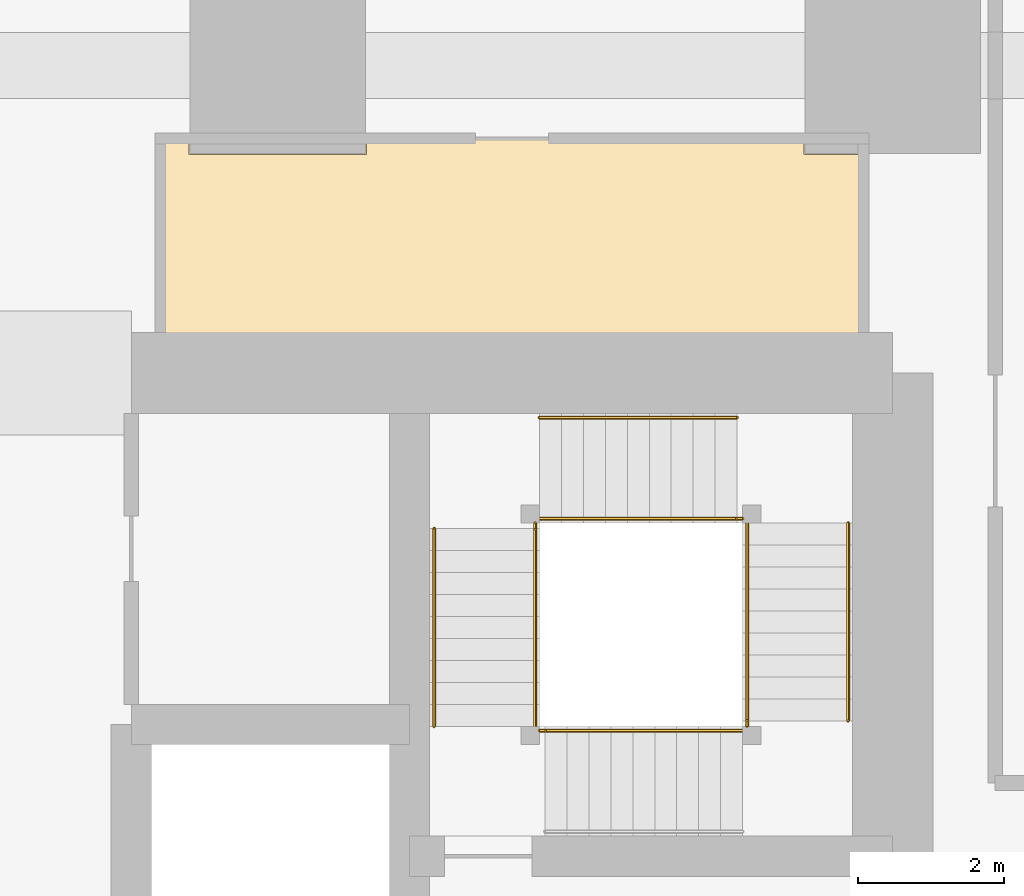
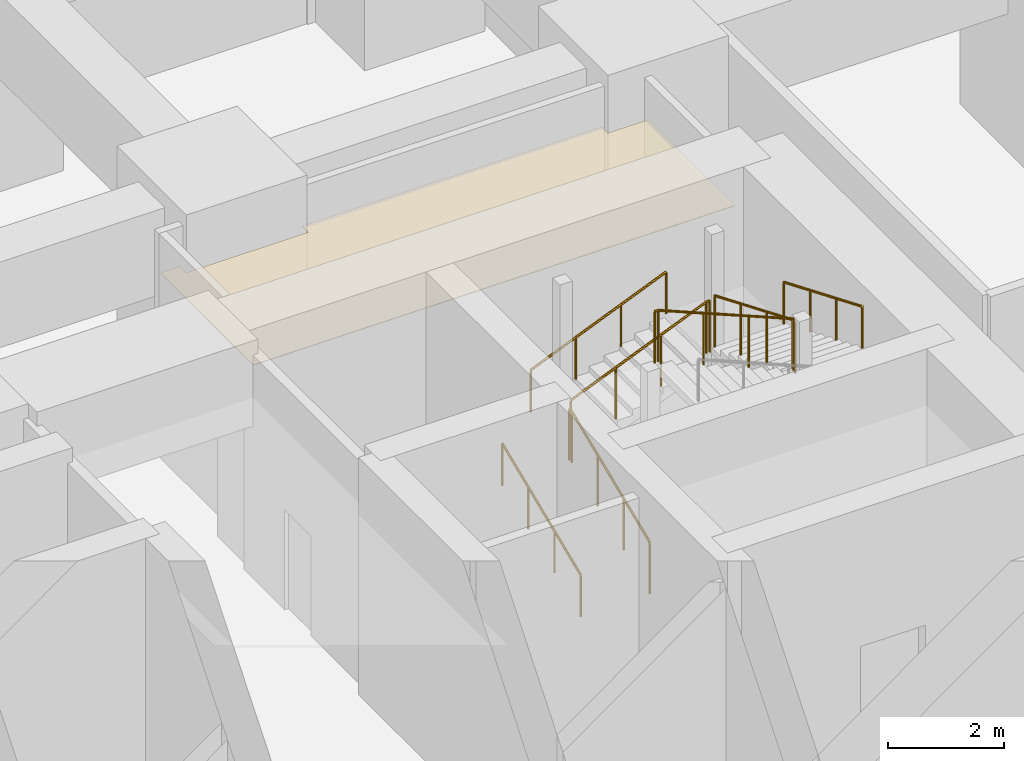
# One storey, part 47 of 48: 11 railings, 1 covering.
"""IFC4 building model written with IfcOpenShell, lengths in metres."""

from ifc_helpers import new_model, si_unit, direction, frame, origin, origin_2d, place, context, subcontext, project, spatial, polyline, circle, outline, extrude, material, layer, layer_set, type_object, element, save


model = new_model("IFC4")

# Units and contexts
model_context = context("Model", 3, precision=1e-05, world=origin(), true_north=direction((0.0, 1.0)))
body_context = subcontext(model_context, "Body", "Model", "MODEL_VIEW")
ifc_project = project(units=[si_unit("LENGTHUNIT", "METRE"), si_unit("AREAUNIT", "SQUARE_METRE"), si_unit("VOLUMEUNIT", "CUBIC_METRE"), si_unit("PLANEANGLEUNIT", "RADIAN"), si_unit("MASSUNIT", "GRAM", prefix="KILO")], contexts=[model_context])

# Site, building, storey
site_placement = place(None, origin())
site = spatial("IfcSite", under=ifc_project, at=site_placement, CompositionType="ELEMENT")
building_placement = place(site_placement, origin())
building = spatial("IfcBuilding", under=site, at=building_placement, Name="Rekha Terrace Tower", CompositionType="ELEMENT")
storey_placement = place(building_placement, frame((0.0, 0.0, 15.39990234375)))
storey = spatial("IfcBuildingStorey", under=building, at=storey_placement, Name="L03", CompositionType="ELEMENT", Elevation=15.39990234375)

# Covering
ifc_material_1 = material(Name="Fibre cement board", Category="finish")
ifc_layer = layer(ifc_material_1, 0.014892578125)
ifc_layer_set = layer_set([ifc_layer], Name="Fibre cement board")
covering_type = type_object("IfcCoveringType", Name="CL2 moisture-resistant board ceiling", PredefinedType="CEILING", material=ifc_layer_set)
covering_placement = place(storey_placement, frame((0.0, 0.0, 3.78515625)))
element("IfcCovering", 1, at=covering_placement, inside=storey, type_object=covering_type, Name="Ceiling L03-WCF", PredefinedType="CEILING", context=body_context, shape_type="SweptSolid", body=[
    extrude(outline(polyline([(40.784912109375, 49.39990234375), (40.39990234375, 49.39990234375), (40.39990234375, 46.199951171875), (50.0, 46.199951171875), (50.0, 49.18505859375), (49.18505859375, 49.18505859375), (49.18505859375, 49.39990234375), (43.215087890625, 49.39990234375), (43.215087890625, 49.18505859375), (40.784912109375, 49.18505859375), (40.784912109375, 49.39990234375)])), origin(), (0.0, 0.0, 1.0), 0.014892578125),
])

# Railings
ifc_material_2 = material(Name="Stainless steel balustrade", Category="steel")
railing_type_1 = type_object("IfcRailingType", Name="GR1 1100 stair guard", PredefinedType="GUARDRAIL", material=ifc_material_2)
railing_1_placement = place(storey_placement, frame((45.514892578125, 41.375, 0.125)))
element("IfcRailing", 2, at=railing_1_placement, inside=storey, type_object=railing_type_1, Name="Guard ST2 L03 flight 1", PredefinedType="GUARDRAIL", context=body_context, shape_type="SweptSolid", body=[
    extrude(circle(Radius=0.02392578125, at=origin_2d()), frame((0.0, 0.0, 1.076171875), z_axis=(0.0, 0.923074453586, 0.384621311341), x_axis=(-1.0, 0.0, 0.0)), (0.0, 0.0, 1.0), 2.925048828125),
    extrude(circle(Radius=0.02099609375, at=origin_2d()), origin(), (0.0, 0.0, 1.0), 1.052001953125),
    extrude(circle(Radius=0.02099609375, at=origin_2d()), frame((0.0, 0.89990234375, 0.375)), (0.0, 0.0, 1.0), 1.052001953125),
    extrude(circle(Radius=0.02099609375, at=origin_2d()), frame((0.0, 1.800048828125, 0.75)), (0.0, 0.0, 1.0), 1.052001953125),
    extrude(circle(Radius=0.02099609375, at=origin_2d()), frame((0.0, 2.699951171875, 1.125)), (0.0, 0.0, 1.0), 1.052001953125),
])
railing_2_placement = place(storey_placement, frame((45.574951171875, 44.2099609375, 1.375)))
element("IfcRailing", 3, at=railing_2_placement, inside=storey, type_object=railing_type_1, Name="Guard ST2 L03 flight 2", PredefinedType="GUARDRAIL", context=body_context, shape_type="SweptSolid", body=[
    extrude(circle(Radius=0.02392578125, at=origin_2d()), frame((0.0, 0.0, 1.076171875), z_axis=(0.923074453586, 0.0, 0.384621311341), x_axis=(0.0, 1.0, 0.0)), (0.0, 0.0, 1.0), 2.925048828125),
    extrude(circle(Radius=0.02099609375, at=origin_2d()), origin(), (0.0, 0.0, 1.0), 1.052001953125),
    extrude(circle(Radius=0.02099609375, at=origin_2d()), frame((0.89990234375, 0.0, 0.375)), (0.0, 0.0, 1.0), 1.052001953125),
    extrude(circle(Radius=0.02099609375, at=origin_2d()), frame((1.800048828125, 0.0, 0.75)), (0.0, 0.0, 1.0), 1.052001953125),
    extrude(circle(Radius=0.02099609375, at=origin_2d()), frame((2.699951171875, 0.0, 1.125)), (0.0, 0.0, 1.0), 1.052001953125),
])
railing_3_placement = place(storey_placement, frame((48.409912109375, 44.14990234375, 2.625)))
element("IfcRailing", 4, at=railing_3_placement, inside=storey, type_object=railing_type_1, Name="Guard ST2 L03 flight 3", PredefinedType="GUARDRAIL", context=body_context, shape_type="SweptSolid", body=[
    extrude(circle(Radius=0.02392578125, at=origin_2d()), frame((0.0, 0.0, 1.076171875), z_axis=(0.0, -0.923074453586, 0.384621311341), x_axis=(1.0, 0.0, 0.0)), (0.0, 0.0, 1.0), 2.925048828125),
    extrude(circle(Radius=0.02099609375, at=origin_2d()), origin(), (0.0, 0.0, 1.0), 1.052001953125),
    extrude(circle(Radius=0.02099609375, at=origin_2d()), frame((0.0, -0.89990234375, 0.375)), (0.0, 0.0, 1.0), 1.052001953125),
    extrude(circle(Radius=0.02099609375, at=origin_2d()), frame((0.0, -1.800048828125, 0.75)), (0.0, 0.0, 1.0), 1.052001953125),
    extrude(circle(Radius=0.02099609375, at=origin_2d()), frame((0.0, -2.699951171875, 1.125)), (0.0, 0.0, 1.0), 1.052001953125),
])
railing_4_placement = place(storey_placement, frame((48.35009765625, 41.31494140625, 3.875)))
element("IfcRailing", 5, at=railing_4_placement, inside=storey, type_object=railing_type_1, Name="Guard ST2 L03 flight 4", PredefinedType="GUARDRAIL", context=body_context, shape_type="SweptSolid", body=[
    extrude(circle(Radius=0.02392578125, at=origin_2d()), frame((0.0, 0.0, 1.076171875), z_axis=(-0.923086799901, 0.0, 0.38459167938), x_axis=(0.0, -1.0, 0.0)), (0.0, 0.0, 1.0), 2.92529296875),
    extrude(circle(Radius=0.02099609375, at=origin_2d()), origin(), (0.0, 0.0, 1.0), 1.052001953125),
    extrude(circle(Radius=0.02099609375, at=origin_2d()), frame((-0.900146484375, 0.0, 0.375)), (0.0, 0.0, 1.0), 1.052001953125),
    extrude(circle(Radius=0.02099609375, at=origin_2d()), frame((-1.800048828125, 0.0, 0.75)), (0.0, 0.0, 1.0), 1.052001953125),
    extrude(circle(Radius=0.02099609375, at=origin_2d()), frame((-2.7001953125, 0.0, 1.125)), (0.0, 0.0, 1.0), 1.052001953125),
])
railing_5_placement = place(storey_placement, frame((45.514892578125, 44.074951171875, 1.25)))
element("IfcRailing", 6, at=railing_5_placement, inside=storey, type_object=railing_type_1, Name="Guard ST2 L03 landing 1", PredefinedType="GUARDRAIL", context=body_context, shape_type="SweptSolid", body=[
    extrude(circle(Radius=0.02392578125, at=origin_2d()), frame((0.0, 0.0, 1.076171875), z_axis=(0.0, 1.0, 0.0), x_axis=(-1.0, 0.0, 0.0)), (0.0, 0.0, 1.0), 0.074951171875),
    extrude(circle(Radius=0.02099609375, at=origin_2d()), origin(), (0.0, 0.0, 1.0), 1.052001953125),
    extrude(circle(Radius=0.02099609375, at=origin_2d()), frame((0.0, 0.074951171875, 0.0)), (0.0, 0.0, 1.0), 1.052001953125),
])
railing_6_placement = place(storey_placement, frame((48.27490234375, 44.2099609375, 2.5)))
element("IfcRailing", 7, at=railing_6_placement, inside=storey, type_object=railing_type_1, Name="Guard ST2 L03 landing 2", PredefinedType="GUARDRAIL", context=body_context, shape_type="SweptSolid", body=[
    extrude(circle(Radius=0.02392578125, at=origin_2d()), frame((0.0, 0.0, 1.076171875), z_axis=(1.0, 0.0, 0.0), x_axis=(0.0, 1.0, 0.0)), (0.0, 0.0, 1.0), 0.0751953125),
    extrude(circle(Radius=0.02099609375, at=origin_2d()), origin(), (0.0, 0.0, 1.0), 1.052001953125),
    extrude(circle(Radius=0.02099609375, at=origin_2d()), frame((0.0751953125, 0.0, 0.0)), (0.0, 0.0, 1.0), 1.052001953125),
])
railing_7_placement = place(storey_placement, frame((48.409912109375, 41.375, 3.75)))
element("IfcRailing", 8, at=railing_7_placement, inside=storey, type_object=railing_type_1, Name="Guard ST2 L03 landing 3", PredefinedType="GUARDRAIL", context=body_context, shape_type="SweptSolid", body=[
    extrude(circle(Radius=0.02392578125, at=origin_2d()), frame((0.0, 0.0, 1.076171875), z_axis=(0.0, 1.0, 0.0), x_axis=(-1.0, 0.0, 0.0)), (0.0, 0.0, 1.0), 0.074951171875),
    extrude(circle(Radius=0.02099609375, at=origin_2d()), origin(), (0.0, 0.0, 1.0), 1.052001953125),
    extrude(circle(Radius=0.02099609375, at=origin_2d()), frame((0.0, 0.074951171875, 0.0)), (0.0, 0.0, 1.0), 1.052001953125),
])
railing_8_placement = place(storey_placement, frame((45.574951171875, 41.31494140625, 5.0)))
element("IfcRailing", 9, at=railing_8_placement, inside=storey, type_object=railing_type_1, Name="Guard ST2 L03 landing 4", PredefinedType="GUARDRAIL", context=body_context, shape_type="SweptSolid", body=[
    extrude(circle(Radius=0.02392578125, at=origin_2d()), frame((0.0, 0.0, 1.076171875), z_axis=(1.0, 0.0, 0.0), x_axis=(0.0, 1.0, 0.0)), (0.0, 0.0, 1.0), 0.074951171875),
    extrude(circle(Radius=0.02099609375, at=origin_2d()), origin(), (0.0, 0.0, 1.0), 1.052001953125),
    extrude(circle(Radius=0.02099609375, at=origin_2d()), frame((0.074951171875, 0.0, 0.0)), (0.0, 0.0, 1.0), 1.052001953125),
])
ifc_material_3 = material(Name="Stainless steel tube", Category="steel")
railing_type_2 = type_object("IfcRailingType", Name="HR1 900 stair handrail", PredefinedType="HANDRAIL", material=ifc_material_3)
railing_9_placement = place(storey_placement, frame((44.135009765625, 41.375, 0.125)))
element("IfcRailing", 10, at=railing_9_placement, inside=storey, type_object=railing_type_2, Name="Handrail ST2 L03 flight 1", PredefinedType="HANDRAIL", context=body_context, shape_type="SweptSolid", body=[
    extrude(circle(Radius=0.02392578125, at=origin_2d()), frame((0.0, 0.0, 0.8759765625), z_axis=(0.0, 0.923074453586, 0.384621311341), x_axis=(-1.0, 0.0, 0.0)), (0.0, 0.0, 1.0), 2.925048828125),
    extrude(circle(Radius=0.02099609375, at=origin_2d()), origin(), (0.0, 0.0, 1.0), 0.851806640625),
    extrude(circle(Radius=0.02099609375, at=origin_2d()), frame((0.0, 0.89990234375, 0.375)), (0.0, 0.0, 1.0), 0.851806640625),
    extrude(circle(Radius=0.02099609375, at=origin_2d()), frame((0.0, 1.800048828125, 0.75)), (0.0, 0.0, 1.0), 0.851806640625),
    extrude(circle(Radius=0.02099609375, at=origin_2d()), frame((0.0, 2.699951171875, 1.125)), (0.0, 0.0, 1.0), 0.851806640625),
])
railing_10_placement = place(storey_placement, frame((45.574951171875, 45.590087890625, 1.375)))
element("IfcRailing", 11, at=railing_10_placement, inside=storey, type_object=railing_type_2, Name="Handrail ST2 L03 flight 2", PredefinedType="HANDRAIL", context=body_context, shape_type="SweptSolid", body=[
    extrude(circle(Radius=0.02392578125, at=origin_2d()), frame((0.0, 0.0, 0.8759765625), z_axis=(0.923074453586, 0.0, 0.384621311341), x_axis=(0.0, 1.0, 0.0)), (0.0, 0.0, 1.0), 2.925048828125),
    extrude(circle(Radius=0.02099609375, at=origin_2d()), origin(), (0.0, 0.0, 1.0), 0.851806640625),
    extrude(circle(Radius=0.02099609375, at=origin_2d()), frame((0.89990234375, 0.0, 0.375)), (0.0, 0.0, 1.0), 0.851806640625),
    extrude(circle(Radius=0.02099609375, at=origin_2d()), frame((1.800048828125, 0.0, 0.75)), (0.0, 0.0, 1.0), 0.851806640625),
    extrude(circle(Radius=0.02099609375, at=origin_2d()), frame((2.699951171875, 0.0, 1.125)), (0.0, 0.0, 1.0), 0.851806640625),
])
railing_11_placement = place(storey_placement, frame((49.7900390625, 44.14990234375, 2.625)))
element("IfcRailing", 12, at=railing_11_placement, inside=storey, type_object=railing_type_2, Name="Handrail ST2 L03 flight 3", PredefinedType="HANDRAIL", context=body_context, shape_type="SweptSolid", body=[
    extrude(circle(Radius=0.02392578125, at=origin_2d()), frame((0.0, 0.0, 0.8759765625), z_axis=(0.0, -0.923074453586, 0.384621311341), x_axis=(1.0, 0.0, 0.0)), (0.0, 0.0, 1.0), 2.925048828125),
    extrude(circle(Radius=0.02099609375, at=origin_2d()), origin(), (0.0, 0.0, 1.0), 0.851806640625),
    extrude(circle(Radius=0.02099609375, at=origin_2d()), frame((0.0, -0.89990234375, 0.375)), (0.0, 0.0, 1.0), 0.851806640625),
    extrude(circle(Radius=0.02099609375, at=origin_2d()), frame((0.0, -1.800048828125, 0.75)), (0.0, 0.0, 1.0), 0.851806640625),
    extrude(circle(Radius=0.02099609375, at=origin_2d()), frame((0.0, -2.699951171875, 1.125)), (0.0, 0.0, 1.0), 0.851806640625),
])

save(model, "model.ifc")
